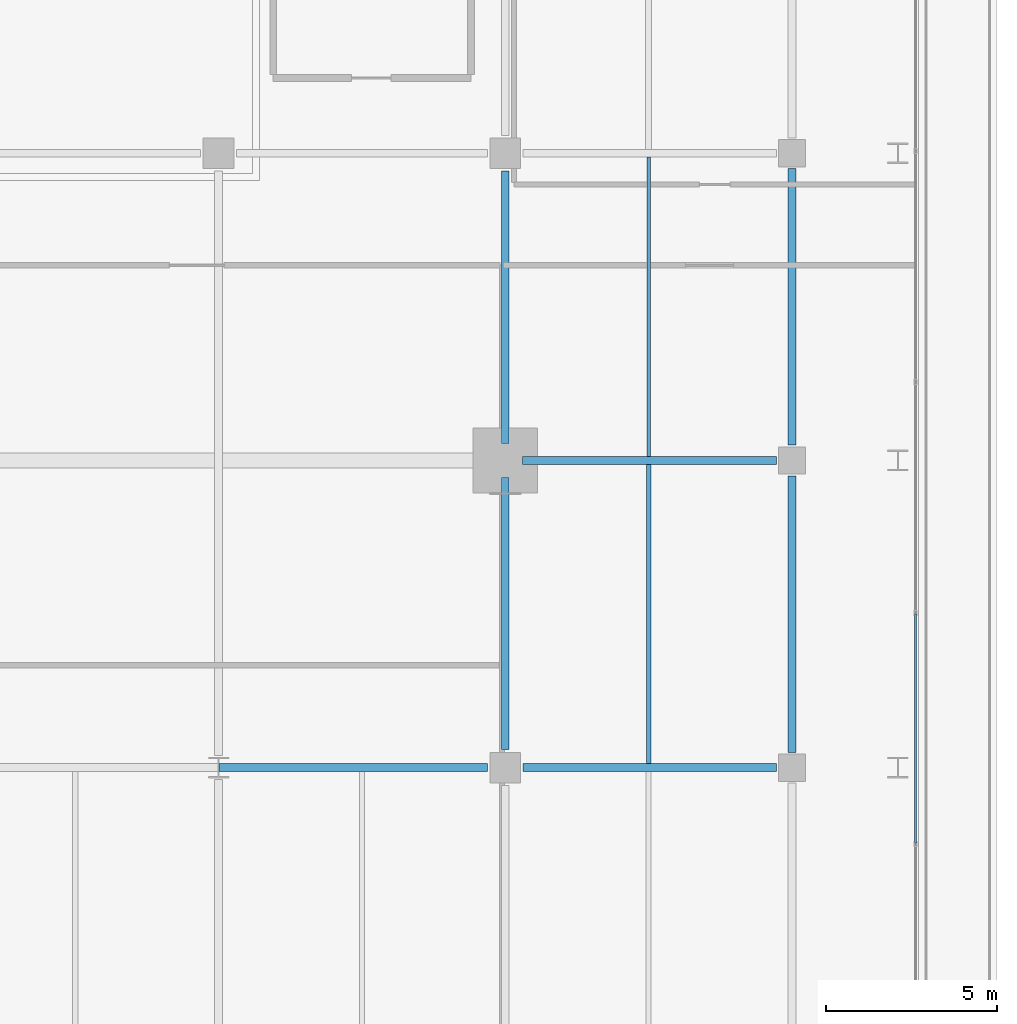
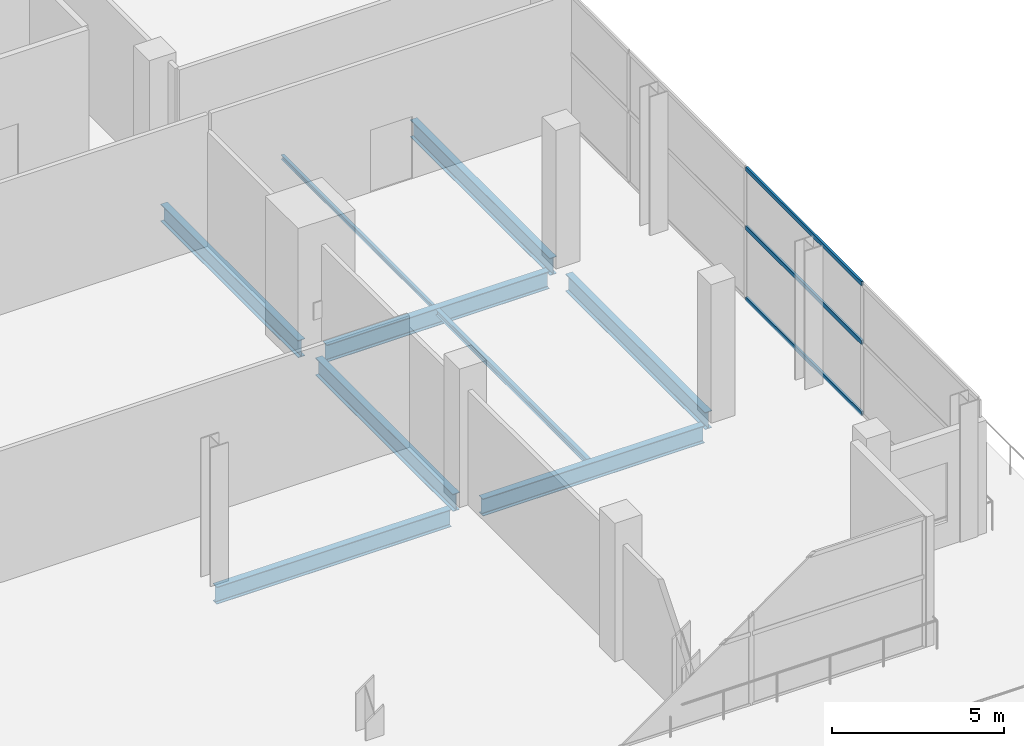
# One storey, part 14 of 31: 9 beams, 3 members, 1 element without a shape of its own.
"""IFC4 building model written with IfcOpenShell, lengths in metres."""

from ifc_helpers import new_model, si_unit, direction, frame, origin, origin_2d, place, context, subcontext, project, spatial, hollow_rectangle, i_section, extrude, material, layer, layer_set, material_profile, profile_set, type_object, element, aggregate, save


model = new_model("IFC4")

# Units and contexts
model_context = context("Model", 3, precision=1e-05, world=origin(), true_north=direction((0.0, 1.0)))
body_context = subcontext(model_context, "Body", "Model", "MODEL_VIEW")
ifc_project = project(units=[si_unit("LENGTHUNIT", "METRE"), si_unit("AREAUNIT", "SQUARE_METRE"), si_unit("VOLUMEUNIT", "CUBIC_METRE"), si_unit("PLANEANGLEUNIT", "RADIAN"), si_unit("MASSUNIT", "GRAM", prefix="KILO")], contexts=[model_context])

# Site, building, storey
site_placement = place(None, origin())
site = spatial("IfcSite", under=ifc_project, at=site_placement, CompositionType="ELEMENT")
building_placement = place(site_placement, origin())
building = spatial("IfcBuilding", under=site, at=building_placement, Name="Maruvema Waterfront Hotel and Observation Tower", CompositionType="ELEMENT")
storey_placement = place(building_placement, frame((0.0, 0.0, 122.5)))
storey = spatial("IfcBuildingStorey", under=building, at=storey_placement, Name="L29", CompositionType="ELEMENT", Elevation=122.5)

# Curtain wall, members
ifc_material_1 = material(Name="Anodised bronze aluminium and solar-control low-E IGU", Category="aluminium")
ifc_layer = layer(ifc_material_1, 0.159912109375, Name="Zone 2 Amber Inner Thermal Curtain Wall System CW-03")
ifc_layer_set = layer_set([ifc_layer], Name="Anodised bronze aluminium and solar-control low-E IGU")
curtain_wall_type = type_object("IfcCurtainWallType", Name="Zone 2 Amber Inner Thermal Curtain Wall System CW-03", PredefinedType="USERDEFINED", material=ifc_layer_set)
curtain_wall_placement = place(storey_placement, origin())
curtain_wall = element("IfcCurtainWall", 1, at=curtain_wall_placement, inside=storey, type_object=curtain_wall_type, Name="L29 Curtain Wall CW-L29-E", ObjectType="UNITISED CURTAIN WALL", PredefinedType="USERDEFINED")
ifc_material_2 = material(Name="Anodised architectural bronze aluminium", Category="aluminium")
ifc_material_profile_1 = material_profile(ifc_material_2, hollow_rectangle(XDim=0.070068359375, YDim=0.14990234375, WallThickness=0.00390625, at=origin_2d()), Name="ALU-T70x150")
ifc_profile_set_1 = profile_set([ifc_material_profile_1], Name="Anodised architectural bronze aluminium")
member_type = type_object("IfcMemberType", Name="Curtain Wall Horizontal Transom ALU-T70x150", PredefinedType="USERDEFINED", material=ifc_profile_set_1)
member_1_placement = place(storey_placement, frame((62.419921875, 15.796630859375, 0.030029296875), z_axis=(0.0, 1.0, 0.0), x_axis=(-1.0, 0.0, 0.0)))
member_1 = element("IfcMember", 2, at=member_1_placement, type_object=member_type, Name="CW-03 transom 2.1", ObjectType="TRANSOM", PredefinedType="USERDEFINED", context=body_context, shape_type="SweptSolid", body=[
    extrude(hollow_rectangle(XDim=0.070068359375, YDim=0.14990234375, WallThickness=0.00390625, at=origin_2d()), origin(), (0.0, 0.0, 1.0), 6.706787109375),
])
member_2_placement = place(storey_placement, frame((62.419921875, 15.796630859375, 2.550048828125), z_axis=(0.0, 1.0, 0.0), x_axis=(-1.0, 0.0, 0.0)))
member_2 = element("IfcMember", 3, at=member_2_placement, type_object=member_type, Name="CW-03 transom 2.2", ObjectType="TRANSOM", PredefinedType="USERDEFINED", context=body_context, shape_type="SweptSolid", body=[
    extrude(hollow_rectangle(XDim=0.070068359375, YDim=0.14990234375, WallThickness=0.00390625, at=origin_2d()), origin(), (0.0, 0.0, 1.0), 6.706787109375),
])
member_3_placement = place(storey_placement, frame((62.419921875, 15.796630859375, 4.6298828125), z_axis=(0.0, 1.0, 0.0), x_axis=(-1.0, 0.0, 0.0)))
member_3 = element("IfcMember", 4, at=member_3_placement, type_object=member_type, Name="CW-03 transom 2.3", ObjectType="TRANSOM", PredefinedType="USERDEFINED", context=body_context, shape_type="SweptSolid", body=[
    extrude(hollow_rectangle(XDim=0.070068359375, YDim=0.14990234375, WallThickness=0.00390625, at=origin_2d()), origin(), (0.0, 0.0, 1.0), 6.706787109375),
])
aggregate(curtain_wall, [member_1, member_2, member_3])

# Beams
ifc_material_3 = material(Name="Steel ASTM A572 Grade 50", Category="steel")
ifc_material_profile_2 = material_profile(ifc_material_3, i_section(OverallWidth=0.22900390625, OverallDepth=0.612060546875, WebThickness=0.011962890625, FlangeThickness=0.01953125, FilletRadius=0.01806640625, at=origin_2d()), Name="W610x125.0")
ifc_profile_set_2 = profile_set([ifc_material_profile_2], Name="Steel ASTM A572 Grade 50")
beam_type_1 = type_object("IfcBeamType", Name="Primary Floor Girder W610x125.0", PredefinedType="BEAM", material=ifc_profile_set_2)
beam_1_placement = place(storey_placement, frame((42.013916015625, 18.0, -0.5458984375), z_axis=(1.0, 0.0, 0.0), x_axis=(0.0, 1.0, 0.0)))
element("IfcBeam", 5, at=beam_1_placement, inside=storey, type_object=beam_type_1, Name="L29 Floor Girder EW-09", PredefinedType="BEAM", context=body_context, shape_type="SweptSolid", body=[
    extrude(i_section(OverallWidth=0.22900390625, OverallDepth=0.612060546875, WebThickness=0.011962890625, FlangeThickness=0.01953125, FilletRadius=0.01806640625, at=origin_2d()), origin(), (0.0, 0.0, 1.0), 7.861083984375),
])
beam_2_placement = place(storey_placement, frame((50.925048828125, 18.0, -0.5458984375), z_axis=(1.0, 0.0, 0.0), x_axis=(0.0, 1.0, 0.0)))
element("IfcBeam", 6, at=beam_2_placement, inside=storey, type_object=beam_type_1, Name="L29 Floor Girder EW-10", PredefinedType="BEAM", context=body_context, shape_type="SweptSolid", body=[
    extrude(i_section(OverallWidth=0.22900390625, OverallDepth=0.612060546875, WebThickness=0.011962890625, FlangeThickness=0.01953125, FilletRadius=0.01806640625, at=origin_2d()), origin(), (0.0, 0.0, 1.0), 7.425048828125),
])
beam_3_placement = place(storey_placement, frame((50.89990234375, 27.0, -0.5458984375), z_axis=(1.0, 0.0, 0.0), x_axis=(0.0, 1.0, 0.0)))
element("IfcBeam", 7, at=beam_3_placement, inside=storey, type_object=beam_type_1, Name="L29 Floor Girder EW-13", PredefinedType="BEAM", context=body_context, shape_type="SweptSolid", body=[
    extrude(i_section(OverallWidth=0.22900390625, OverallDepth=0.612060546875, WebThickness=0.011962890625, FlangeThickness=0.01953125, FilletRadius=0.01806640625, at=origin_2d()), origin(), (0.0, 0.0, 1.0), 7.4501953125),
])
for number, where, z_axis, x_axis, name in (
    (8, (50.39990234375, 18.52490234375, -0.5458984375), (0.0, 1.0, 0.0), (-1.0, 0.0, 0.0), "L29 Floor Girder NS-14"),
    (9, (50.39990234375, 27.5, -0.5458984375), (0.0, 1.0, 0.0), (-1.0, 0.0, 0.0), "L29 Floor Girder NS-15"),
):
    element("IfcBeam", number, at=place(storey_placement, frame(where, z_axis=z_axis, x_axis=x_axis)), inside=storey, type_object=beam_type_1, Name=name, PredefinedType="BEAM", context=body_context, shape_type="SweptSolid", body=[
        extrude(i_section(OverallWidth=0.22900390625, OverallDepth=0.612060546875, WebThickness=0.011962890625, FlangeThickness=0.01953125, FilletRadius=0.01806640625, at=origin_2d()), origin(), (0.0, 0.0, 1.0), 7.97509765625),
    ])
for number, where, z_axis, x_axis, name in (
    (10, (58.800048828125, 18.449951171875, -0.5458984375), (0.0, 1.0, 0.0), (-1.0, 0.0, 0.0), "L29 Floor Girder NS-18"),
    (11, (58.800048828125, 27.449951171875, -0.5458984375), (0.0, 1.0, 0.0), (-1.0, 0.0, 0.0), "L29 Floor Girder NS-19"),
):
    element("IfcBeam", number, at=place(storey_placement, frame(where, z_axis=z_axis, x_axis=x_axis)), inside=storey, type_object=beam_type_1, Name=name, PredefinedType="BEAM", context=body_context, shape_type="SweptSolid", body=[
        extrude(i_section(OverallWidth=0.22900390625, OverallDepth=0.612060546875, WebThickness=0.011962890625, FlangeThickness=0.01953125, FilletRadius=0.01806640625, at=origin_2d()), origin(), (0.0, 0.0, 1.0), 8.10009765625),
    ])
ifc_material_4 = material(Name="Steel ASTM A572 Grade 50", Category="steel")
ifc_material_profile_3 = material_profile(ifc_material_4, i_section(OverallWidth=0.10009765625, OverallDepth=0.153076171875, WebThickness=0.005859375, FlangeThickness=0.007080078125, FilletRadius=0.008056640625, at=origin_2d()), Name="W150x18.0")
ifc_profile_set_3 = profile_set([ifc_material_profile_3], Name="Steel ASTM A572 Grade 50")
beam_type_2 = type_object("IfcBeamType", Name="Secondary Floor Joist W150x18.0", PredefinedType="JOIST", material=ifc_profile_set_3)
beam_4_placement = place(storey_placement, frame((54.60009765625, 27.114501953125, -0.31640625), z_axis=(0.0, 1.0, 0.0), x_axis=(-1.0, 0.0, 0.0)))
element("IfcBeam", 12, at=beam_4_placement, inside=storey, type_object=beam_type_2, Name="L29 Secondary Floor Joist JS-10", PredefinedType="JOIST", context=body_context, shape_type="SweptSolid", body=[
    extrude(i_section(OverallWidth=0.10009765625, OverallDepth=0.153076171875, WebThickness=0.005859375, FlangeThickness=0.007080078125, FilletRadius=0.008056640625, at=origin_2d()), origin(), (0.0, 0.0, 1.0), 8.77099609375),
])
ifc_material_5 = material(Name="Steel ASTM A572 Grade 50", Category="steel")
ifc_material_profile_4 = material_profile(ifc_material_5, i_section(OverallWidth=0.133056640625, OverallDepth=0.20703125, WebThickness=0.005859375, FlangeThickness=0.00830078125, FilletRadius=0.010009765625, at=origin_2d()), Name="W200x26.6")
ifc_profile_set_4 = profile_set([ifc_material_profile_4], Name="Steel ASTM A572 Grade 50")
beam_type_3 = type_object("IfcBeamType", Name="Secondary Floor Joist W200x26.6", PredefinedType="JOIST", material=ifc_profile_set_4)
beam_5_placement = place(storey_placement, frame((54.60009765625, 18.114501953125, -0.343505859375), z_axis=(0.0, 1.0, 0.0), x_axis=(-1.0, 0.0, 0.0)))
element("IfcBeam", 13, at=beam_5_placement, inside=storey, type_object=beam_type_3, Name="L29 Secondary Floor Joist JS-09", PredefinedType="JOIST", context=body_context, shape_type="SweptSolid", body=[
    extrude(i_section(OverallWidth=0.133056640625, OverallDepth=0.20703125, WebThickness=0.005859375, FlangeThickness=0.00830078125, FilletRadius=0.010009765625, at=origin_2d()), origin(), (0.0, 0.0, 1.0), 8.77099609375),
])

save(model, "model.ifc")
